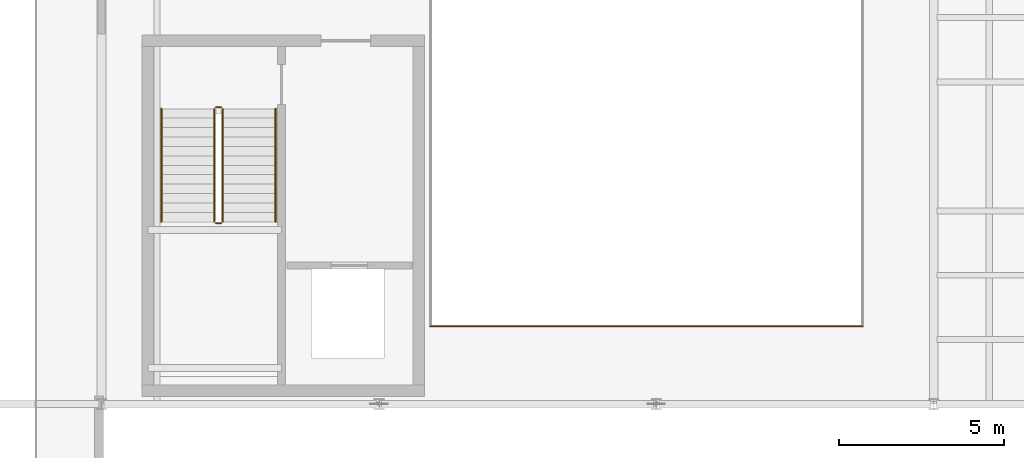
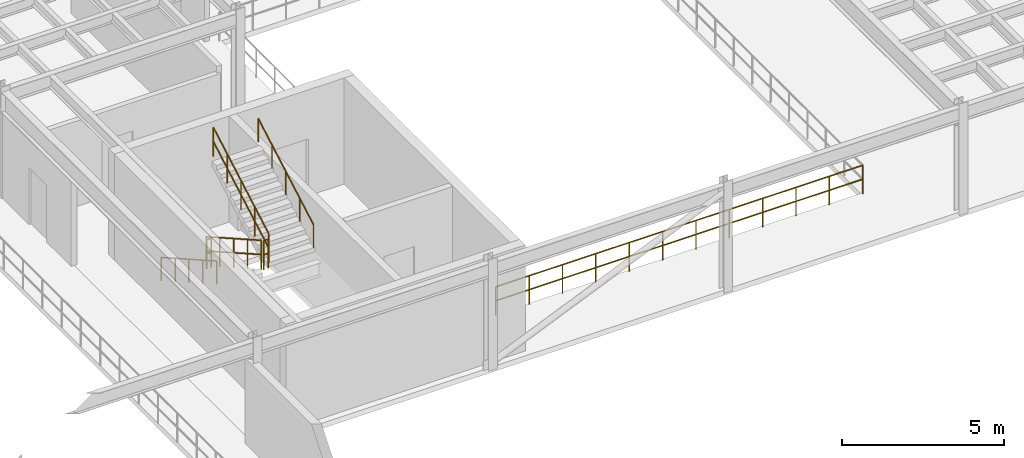
# One storey, part 28 of 32: 7 railings.
"""IFC4 building model written with IfcOpenShell, lengths in metres."""

from ifc_helpers import new_model, si_unit, direction, frame, origin, origin_2d, place, context, subcontext, project, spatial, circle, extrude, material, layer, layer_set, type_object, element, save


model = new_model("IFC4")

# Units and contexts
model_context = context("Model", 3, precision=1e-05, world=origin(), true_north=direction((0.0, 1.0)))
body_context = subcontext(model_context, "Body", "Model", "MODEL_VIEW")
ifc_project = project(units=[si_unit("LENGTHUNIT", "METRE"), si_unit("AREAUNIT", "SQUARE_METRE"), si_unit("VOLUMEUNIT", "CUBIC_METRE"), si_unit("PLANEANGLEUNIT", "RADIAN"), si_unit("MASSUNIT", "GRAM", prefix="KILO")], contexts=[model_context])

# Site, building, storey
site_placement = place(None, origin())
site = spatial("IfcSite", under=ifc_project, at=site_placement, CompositionType="ELEMENT")
building_placement = place(site_placement, origin())
building = spatial("IfcBuilding", under=site, at=building_placement, Name="Selat Folded Stagehouse", CompositionType="ELEMENT")
storey_placement = place(building_placement, frame((0.0, 0.0, 19.199951171875)))
storey = spatial("IfcBuildingStorey", under=building, at=storey_placement, Name="L04", CompositionType="ELEMENT", Elevation=19.199951171875)

# Railings
ifc_material_1 = material(Name="Bronze-anodised steel balustrade", Category="steel")
ifc_layer_1 = layer(ifc_material_1, 0.06494140625)
ifc_layer_set_1 = layer_set([ifc_layer_1], Name="Bronze-anodised steel balustrade")
railing_type_1 = type_object("IfcRailingType", Name="RLG-BAL-1120", PredefinedType="BALUSTRADE", material=ifc_layer_set_1)
railing_1_placement = place(storey_placement, frame((37.010009765625, 32.340087890625, 0.16162109375)))
element("IfcRailing", 1, at=railing_1_placement, inside=storey, type_object=railing_type_1, Name="L04 ST-01 stair well guard 1", PredefinedType="BALUSTRADE", context=body_context, shape_type="SweptSolid", body=[
    extrude(circle(Radius=0.02392578125, at=origin_2d()), frame((0.0, 0.0, 1.09619140625), z_axis=(0.0, -0.869980450916, 0.493086214596), x_axis=(1.0, 0.0, 0.0)), (0.0, 0.0, 1.0), 3.931396484375),
    extrude(circle(Radius=0.02392578125, at=origin_2d()), frame((0.0, 0.0, 0.56005859375), z_axis=(0.0, -0.869980450916, 0.493086214596), x_axis=(1.0, 0.0, 0.0)), (0.0, 0.0, 1.0), 3.931396484375),
    extrude(circle(Radius=0.02099609375, at=origin_2d()), origin(), (0.0, 0.0, 1.0), 1.072021484375),
    extrude(circle(Radius=0.02099609375, at=origin_2d()), frame((0.0, -0.85498046875, 0.484619140625)), (0.0, 0.0, 1.0), 1.072021484375),
    extrude(circle(Radius=0.02099609375, at=origin_2d()), frame((0.0, -1.7099609375, 0.96923828125)), (0.0, 0.0, 1.0), 1.072021484375),
    extrude(circle(Radius=0.02099609375, at=origin_2d()), frame((0.0, -2.565185546875, 1.453857421875)), (0.0, 0.0, 1.0), 1.072021484375),
    extrude(circle(Radius=0.02099609375, at=origin_2d()), frame((0.0, -3.420166015625, 1.9384765625)), (0.0, 0.0, 1.0), 1.072021484375),
])
railing_2_placement = place(storey_placement, frame((37.06005859375, 28.8701171875, 2.10009765625)))
element("IfcRailing", 2, at=railing_2_placement, inside=storey, type_object=railing_type_1, Name="L04 ST-01 stair well guard 2", PredefinedType="BALUSTRADE", context=body_context, shape_type="SweptSolid", body=[
    extrude(circle(Radius=0.02392578125, at=origin_2d()), frame((0.0, 0.0, 1.09619140625), z_axis=(1.0, 0.0, 0.0), x_axis=(0.0, 1.0, 0.0)), (0.0, 0.0, 1.0), 0.159912109375),
    extrude(circle(Radius=0.02392578125, at=origin_2d()), frame((0.0, 0.0, 0.56005859375), z_axis=(1.0, 0.0, 0.0), x_axis=(0.0, 1.0, 0.0)), (0.0, 0.0, 1.0), 0.159912109375),
    extrude(circle(Radius=0.02099609375, at=origin_2d()), origin(), (0.0, 0.0, 1.0), 1.072021484375),
    extrude(circle(Radius=0.02099609375, at=origin_2d()), frame((0.159912109375, 0.0, 0.0)), (0.0, 0.0, 1.0), 1.072021484375),
])
railing_3_placement = place(storey_placement, frame((37.27001953125, 28.919921875, 2.261474609375)))
element("IfcRailing", 3, at=railing_3_placement, inside=storey, type_object=railing_type_1, Name="L04 ST-01 stair well guard 3", PredefinedType="BALUSTRADE", context=body_context, shape_type="SweptSolid", body=[
    extrude(circle(Radius=0.02392578125, at=origin_2d()), frame((0.0, 0.0, 1.09619140625), z_axis=(0.0, 0.869980450916, 0.493086214596), x_axis=(-1.0, 0.0, 0.0)), (0.0, 0.0, 1.0), 3.931396484375),
    extrude(circle(Radius=0.02392578125, at=origin_2d()), frame((0.0, 0.0, 0.56005859375), z_axis=(0.0, 0.869980450916, 0.493086214596), x_axis=(-1.0, 0.0, 0.0)), (0.0, 0.0, 1.0), 3.931396484375),
    extrude(circle(Radius=0.02099609375, at=origin_2d()), origin(), (0.0, 0.0, 1.0), 1.072021484375),
    extrude(circle(Radius=0.02099609375, at=origin_2d()), frame((0.0, 0.85498046875, 0.484619140625)), (0.0, 0.0, 1.0), 1.072021484375),
    extrude(circle(Radius=0.02099609375, at=origin_2d()), frame((0.0, 1.7099609375, 0.96923828125)), (0.0, 0.0, 1.0), 1.072021484375),
    extrude(circle(Radius=0.02099609375, at=origin_2d()), frame((0.0, 2.565185546875, 1.453857421875)), (0.0, 0.0, 1.0), 1.072021484375),
    extrude(circle(Radius=0.02099609375, at=origin_2d()), frame((0.0, 3.420166015625, 1.9384765625)), (0.0, 0.0, 1.0), 1.072021484375),
])
railing_4_placement = place(storey_placement, frame((37.06005859375, 32.389892578125, 0.0)))
element("IfcRailing", 4, at=railing_4_placement, inside=storey, type_object=railing_type_1, Name="L04 ST-01 stair well guard 4", PredefinedType="BALUSTRADE", context=body_context, shape_type="SweptSolid", body=[
    extrude(circle(Radius=0.02392578125, at=origin_2d()), frame((0.0, 0.0, 1.09619140625), z_axis=(1.0, 0.0, 0.0), x_axis=(0.0, 1.0, 0.0)), (0.0, 0.0, 1.0), 0.159912109375),
    extrude(circle(Radius=0.02392578125, at=origin_2d()), frame((0.0, 0.0, 0.56005859375), z_axis=(1.0, 0.0, 0.0), x_axis=(0.0, 1.0, 0.0)), (0.0, 0.0, 1.0), 0.159912109375),
    extrude(circle(Radius=0.02099609375, at=origin_2d()), origin(), (0.0, 0.0, 1.0), 1.072021484375),
    extrude(circle(Radius=0.02099609375, at=origin_2d()), frame((0.159912109375, 0.0, 0.0)), (0.0, 0.0, 1.0), 1.072021484375),
])
ifc_material_2 = material(Name="Stainless steel and laminated glass", Category="steel")
ifc_layer_2 = layer(ifc_material_2, 0.06005859375)
ifc_layer_set_2 = layer_set([ifc_layer_2], Name="Stainless steel and laminated glass")
railing_type_2 = type_object("IfcRailingType", Name="RLG-GUARD-1100", PredefinedType="GUARDRAIL", material=ifc_layer_set_2)
railing_5_placement = place(storey_placement, frame((43.550048828125, 25.75, 0.0)))
element("IfcRailing", 5, at=railing_5_placement, inside=storey, type_object=railing_type_2, Name="L04 protective guard railing 066", PredefinedType="GUARDRAIL", context=body_context, shape_type="SweptSolid", body=[
    extrude(circle(Radius=0.02392578125, at=origin_2d()), frame((0.0, 0.0, 1.076171875), z_axis=(1.0, 0.0, 0.0), x_axis=(0.0, 1.0, 0.0)), (0.0, 0.0, 1.0), 13.099853515625),
    extrude(circle(Radius=0.02392578125, at=origin_2d()), frame((0.0, 0.0, 0.550048828125), z_axis=(1.0, 0.0, 0.0), x_axis=(0.0, 1.0, 0.0)), (0.0, 0.0, 1.0), 13.099853515625),
    extrude(circle(Radius=0.02099609375, at=origin_2d()), origin(), (0.0, 0.0, 1.0), 1.052001953125),
    extrude(circle(Radius=0.02099609375, at=origin_2d()), frame((1.19091796875, 0.0, 0.0)), (0.0, 0.0, 1.0), 1.052001953125),
    extrude(circle(Radius=0.02099609375, at=origin_2d()), frame((2.3818359375, 0.0, 0.0)), (0.0, 0.0, 1.0), 1.052001953125),
    extrude(circle(Radius=0.02099609375, at=origin_2d()), frame((3.57275390625, 0.0, 0.0)), (0.0, 0.0, 1.0), 1.052001953125),
    extrude(circle(Radius=0.02099609375, at=origin_2d()), frame((4.763671875, 0.0, 0.0)), (0.0, 0.0, 1.0), 1.052001953125),
    extrude(circle(Radius=0.02099609375, at=origin_2d()), frame((5.95458984375, 0.0, 0.0)), (0.0, 0.0, 1.0), 1.052001953125),
    extrude(circle(Radius=0.02099609375, at=origin_2d()), frame((7.145263671875, 0.0, 0.0)), (0.0, 0.0, 1.0), 1.052001953125),
    extrude(circle(Radius=0.02099609375, at=origin_2d()), frame((8.336181640625, 0.0, 0.0)), (0.0, 0.0, 1.0), 1.052001953125),
    extrude(circle(Radius=0.02099609375, at=origin_2d()), frame((9.527099609375, 0.0, 0.0)), (0.0, 0.0, 1.0), 1.052001953125),
    extrude(circle(Radius=0.02099609375, at=origin_2d()), frame((10.718017578125, 0.0, 0.0)), (0.0, 0.0, 1.0), 1.052001953125),
    extrude(circle(Radius=0.02099609375, at=origin_2d()), frame((11.908935546875, 0.0, 0.0)), (0.0, 0.0, 1.0), 1.052001953125),
    extrude(circle(Radius=0.02099609375, at=origin_2d()), frame((13.099853515625, 0.0, 0.0)), (0.0, 0.0, 1.0), 1.052001953125),
])
ifc_material_3 = material(Name="Brushed stainless steel 1.4301", Category="steel")
ifc_layer_3 = layer(ifc_material_3, 0.048095703125)
ifc_layer_set_3 = layer_set([ifc_layer_3], Name="Brushed stainless steel 1.4301")
railing_type_3 = type_object("IfcRailingType", Name="RLG-HANDRAIL-900", PredefinedType="HANDRAIL", material=ifc_layer_set_3)
railing_6_placement = place(storey_placement, frame((35.409912109375, 32.340087890625, 0.16162109375)))
element("IfcRailing", 6, at=railing_6_placement, inside=storey, type_object=railing_type_3, Name="L04 ST-01 wall handrail 1", PredefinedType="HANDRAIL", context=body_context, shape_type="SweptSolid", body=[
    extrude(circle(Radius=0.02392578125, at=origin_2d()), frame((0.0, 0.0, 0.8759765625), z_axis=(0.0, -0.869980450916, 0.493086214596), x_axis=(1.0, 0.0, 0.0)), (0.0, 0.0, 1.0), 3.931396484375),
    extrude(circle(Radius=0.02099609375, at=origin_2d()), origin(), (0.0, 0.0, 1.0), 0.851806640625),
    extrude(circle(Radius=0.02099609375, at=origin_2d()), frame((0.0, -0.85498046875, 0.484619140625)), (0.0, 0.0, 1.0), 0.851806640625),
    extrude(circle(Radius=0.02099609375, at=origin_2d()), frame((0.0, -1.7099609375, 0.96923828125)), (0.0, 0.0, 1.0), 0.851806640625),
    extrude(circle(Radius=0.02099609375, at=origin_2d()), frame((0.0, -2.565185546875, 1.453857421875)), (0.0, 0.0, 1.0), 0.851806640625),
    extrude(circle(Radius=0.02099609375, at=origin_2d()), frame((0.0, -3.420166015625, 1.9384765625)), (0.0, 0.0, 1.0), 0.851806640625),
])
railing_7_placement = place(storey_placement, frame((38.8701171875, 28.919921875, 2.261474609375)))
element("IfcRailing", 7, at=railing_7_placement, inside=storey, type_object=railing_type_3, Name="L04 ST-01 wall handrail 2", PredefinedType="HANDRAIL", context=body_context, shape_type="SweptSolid", body=[
    extrude(circle(Radius=0.02392578125, at=origin_2d()), frame((0.0, 0.0, 0.8759765625), z_axis=(0.0, 0.869980450916, 0.493086214596), x_axis=(-1.0, 0.0, 0.0)), (0.0, 0.0, 1.0), 3.931396484375),
    extrude(circle(Radius=0.02099609375, at=origin_2d()), origin(), (0.0, 0.0, 1.0), 0.851806640625),
    extrude(circle(Radius=0.02099609375, at=origin_2d()), frame((0.0, 0.85498046875, 0.484619140625)), (0.0, 0.0, 1.0), 0.851806640625),
    extrude(circle(Radius=0.02099609375, at=origin_2d()), frame((0.0, 1.7099609375, 0.96923828125)), (0.0, 0.0, 1.0), 0.851806640625),
    extrude(circle(Radius=0.02099609375, at=origin_2d()), frame((0.0, 2.565185546875, 1.453857421875)), (0.0, 0.0, 1.0), 0.851806640625),
    extrude(circle(Radius=0.02099609375, at=origin_2d()), frame((0.0, 3.420166015625, 1.9384765625)), (0.0, 0.0, 1.0), 0.851806640625),
])

save(model, "model.ifc")
